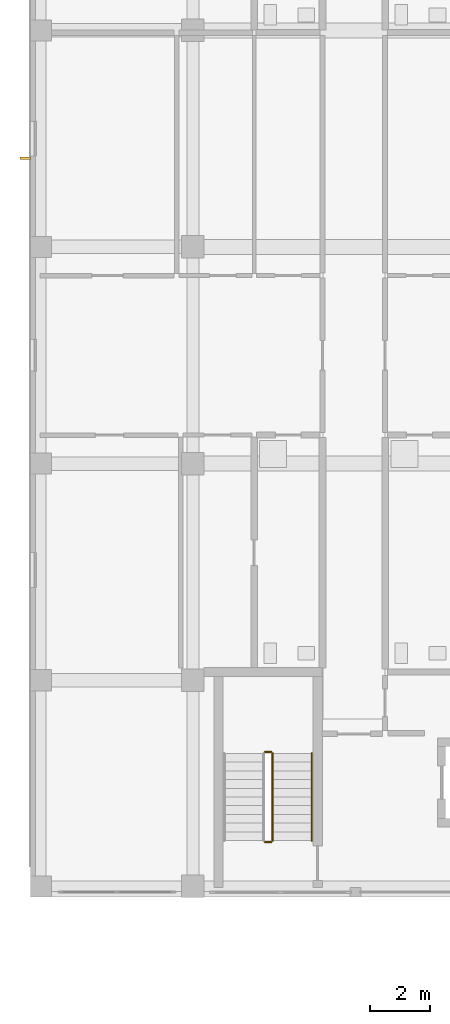
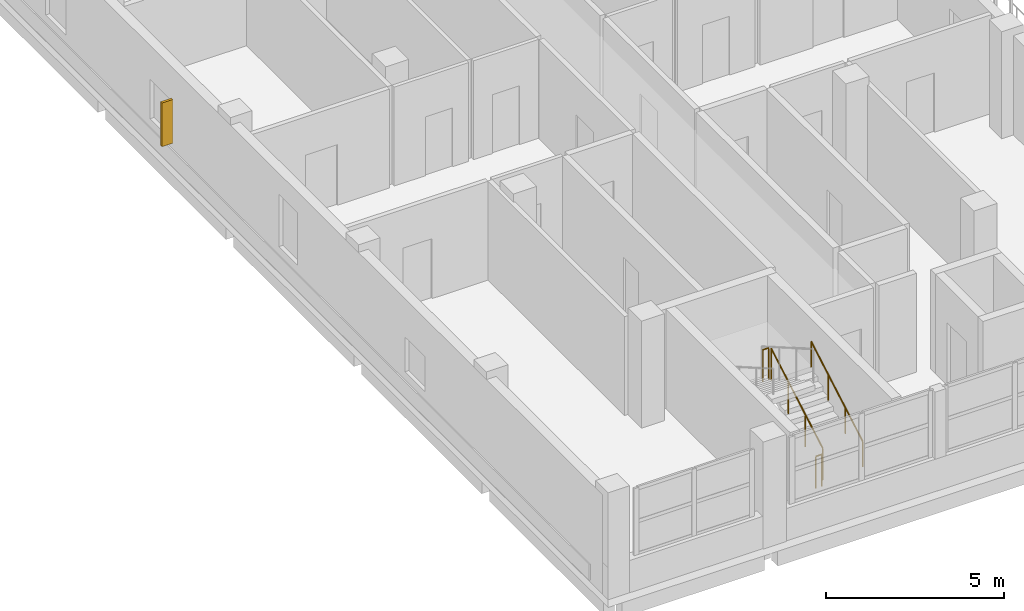
# One storey, part 63 of 73: 4 railings, 1 shading device.
"""IFC4 building model written with IfcOpenShell, lengths in metres."""

from ifc_helpers import new_model, si_unit, derived_unit, direction, frame, origin, origin_2d, place, context, subcontext, project, spatial, rectangle, circle, extrude, material, type_object, element, save


model = new_model("IFC4")

# Units and contexts
model_context = context("Model", 3, precision=1e-05, world=origin(), true_north=direction((0.0, 1.0)))
body_context = subcontext(model_context, "Body", "Model", "MODEL_VIEW")
ifc_project = project(units=[si_unit("LENGTHUNIT", "METRE"), si_unit("AREAUNIT", "SQUARE_METRE"), si_unit("VOLUMEUNIT", "CUBIC_METRE"), si_unit("PLANEANGLEUNIT", "RADIAN"), si_unit("MASSUNIT", "GRAM", prefix="KILO"), derived_unit("THERMALTRANSMITTANCEUNIT", [(si_unit("MASSUNIT", "GRAM", prefix="KILO"), 1), (si_unit("TIMEUNIT", "SECOND"), -3), (si_unit("THERMODYNAMICTEMPERATUREUNIT", "KELVIN"), -1)])], contexts=[model_context])

# Site, building, storey
site_placement = place(None, origin())
site = spatial("IfcSite", under=ifc_project, at=site_placement, CompositionType="ELEMENT")
building_placement = place(site_placement, origin())
building = spatial("IfcBuilding", under=site, at=building_placement, Name="Ochrekiln Boulevard Commons", CompositionType="ELEMENT")
storey_placement = place(building_placement, frame((0.0, 0.0, 4.89990234375)))
storey = spatial("IfcBuildingStorey", under=building, at=storey_placement, Name="L01", CompositionType="ELEMENT", Elevation=4.89990234375)

# Railings
ifc_material_1 = material(Name="Brushed stainless steel 316 tubular railing", Category="steel")
railing_type_1 = type_object("IfcRailingType", Name="RLG-HDR-900", PredefinedType="HANDRAIL", material=ifc_material_1)
railing_1_placement = place(storey_placement, frame((9.35009765625, 70.27001953125, 0.167236328125)))
element("IfcRailing", 1, at=railing_1_placement, inside=storey, type_object=railing_type_1, Name="L01 ST-A1 stair handrail 1", PredefinedType="HANDRAIL", context=body_context, shape_type="SweptSolid", body=[
    extrude(circle(Radius=0.02392578125, at=origin_2d()), frame((0.0, 0.0, 0.8759765625), z_axis=(0.0, 0.866523023801, 0.499137104634), x_axis=(-1.0, 0.0, 0.0)), (0.0, 0.0, 1.0), 3.3466796875),
    extrude(circle(Radius=0.02099609375, at=origin_2d()), origin(), (0.0, 0.0, 1.0), 0.851806640625),
    extrude(circle(Radius=0.02099609375, at=origin_2d()), frame((0.0, 0.966552734375, 0.556884765625)), (0.0, 0.0, 1.0), 0.851806640625),
    extrude(circle(Radius=0.02099609375, at=origin_2d()), frame((0.0, 1.933349609375, 1.113525390625)), (0.0, 0.0, 1.0), 0.851806640625),
    extrude(circle(Radius=0.02099609375, at=origin_2d()), frame((0.0, 2.89990234375, 1.67041015625)), (0.0, 0.0, 1.0), 0.851806640625),
])
railing_type_2 = type_object("IfcRailingType", Name="RLG-STR-1120", PredefinedType="BALUSTRADE", material=ifc_material_1)
railing_2_placement = place(storey_placement, frame((8.050048828125, 70.27001953125, 0.167236328125)))
element("IfcRailing", 2, at=railing_2_placement, inside=storey, type_object=railing_type_2, Name="L01 ST-A1 stair guard 1", PredefinedType="BALUSTRADE", context=body_context, shape_type="SweptSolid", body=[
    extrude(circle(Radius=0.02392578125, at=origin_2d()), frame((0.0, 0.0, 1.09619140625), z_axis=(0.0, 0.866523023801, 0.499137104634), x_axis=(-1.0, 0.0, 0.0)), (0.0, 0.0, 1.0), 3.3466796875),
    extrude(circle(Radius=0.02099609375, at=origin_2d()), origin(), (0.0, 0.0, 1.0), 1.072021484375),
    extrude(circle(Radius=0.02099609375, at=origin_2d()), frame((0.0, 0.966552734375, 0.556884765625)), (0.0, 0.0, 1.0), 1.072021484375),
    extrude(circle(Radius=0.02099609375, at=origin_2d()), frame((0.0, 1.933349609375, 1.113525390625)), (0.0, 0.0, 1.0), 1.072021484375),
    extrude(circle(Radius=0.02099609375, at=origin_2d()), frame((0.0, 2.89990234375, 1.67041015625)), (0.0, 0.0, 1.0), 1.072021484375),
])
for number, where, name in (
    (3, (8.0, 73.219970703125, 1.837646484375), "L01 ST-A1 stair guard 2"),
    (4, (8.0, 70.219970703125, 0.0), "L01 ST-A1 stair guard 4"),
):
    element("IfcRailing", number, at=place(storey_placement, frame(where)), inside=storey, type_object=railing_type_2, Name=name, PredefinedType="BALUSTRADE", context=body_context, shape_type="SweptSolid", body=[
        extrude(circle(Radius=0.02392578125, at=origin_2d()), frame((0.0, 0.0, 1.09619140625), z_axis=(-1.0, 0.0, 0.0), x_axis=(0.0, -1.0, 0.0)), (0.0, 0.0, 1.0), 0.199951171875),
        extrude(circle(Radius=0.02099609375, at=origin_2d()), origin(), (0.0, 0.0, 1.0), 1.072021484375),
        extrude(circle(Radius=0.02099609375, at=origin_2d()), frame((-0.199951171875, 0.0, 0.0)), (0.0, 0.0, 1.0), 1.072021484375),
    ])

# Shading device
ifc_material_2 = material(Name="Glazed architectural terracotta ASTM C1405", Category="masonry")
shading_device_type = type_object("IfcShadingDeviceType", Name="SHD-FIN-TERRA", PredefinedType="JALOUSIE", material=ifc_material_2)
shading_device_placement = place(storey_placement, frame((-0.169921875, 92.945068359375, 0.8251953125), z_axis=(0.0, 0.0, 1.0), x_axis=(1.0, 0.0, 0.0)))
element("IfcShadingDevice", 5, at=shading_device_placement, inside=storey, type_object=shading_device_type, Name="Terracotta Solar Shading Fin SF-01 (2)", PredefinedType="JALOUSIE", context=body_context, shape_type="SweptSolid", body=[
    extrude(rectangle(XDim=0.35009765625, YDim=0.080078125, at=origin_2d()), origin(), (0.0, 0.0, 1.0), 1.5),
])

save(model, "model.ifc")
